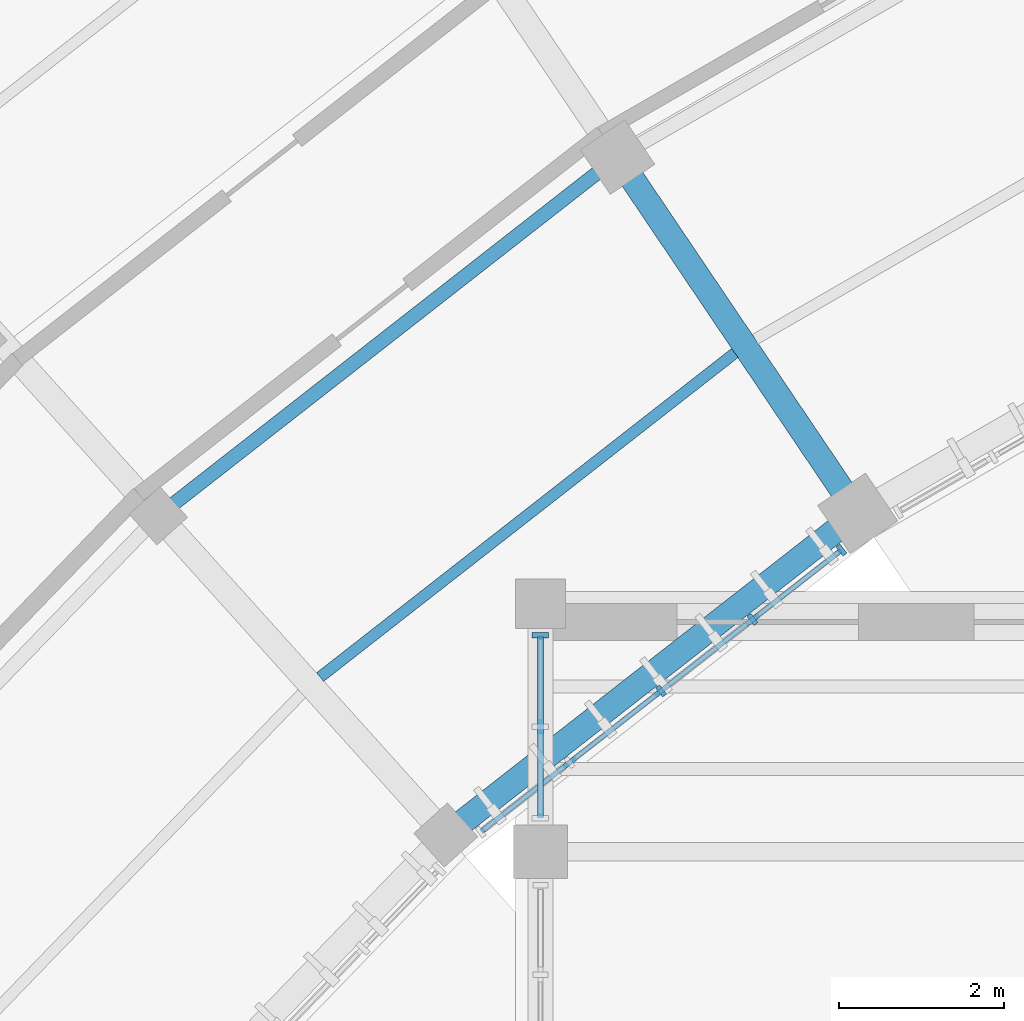
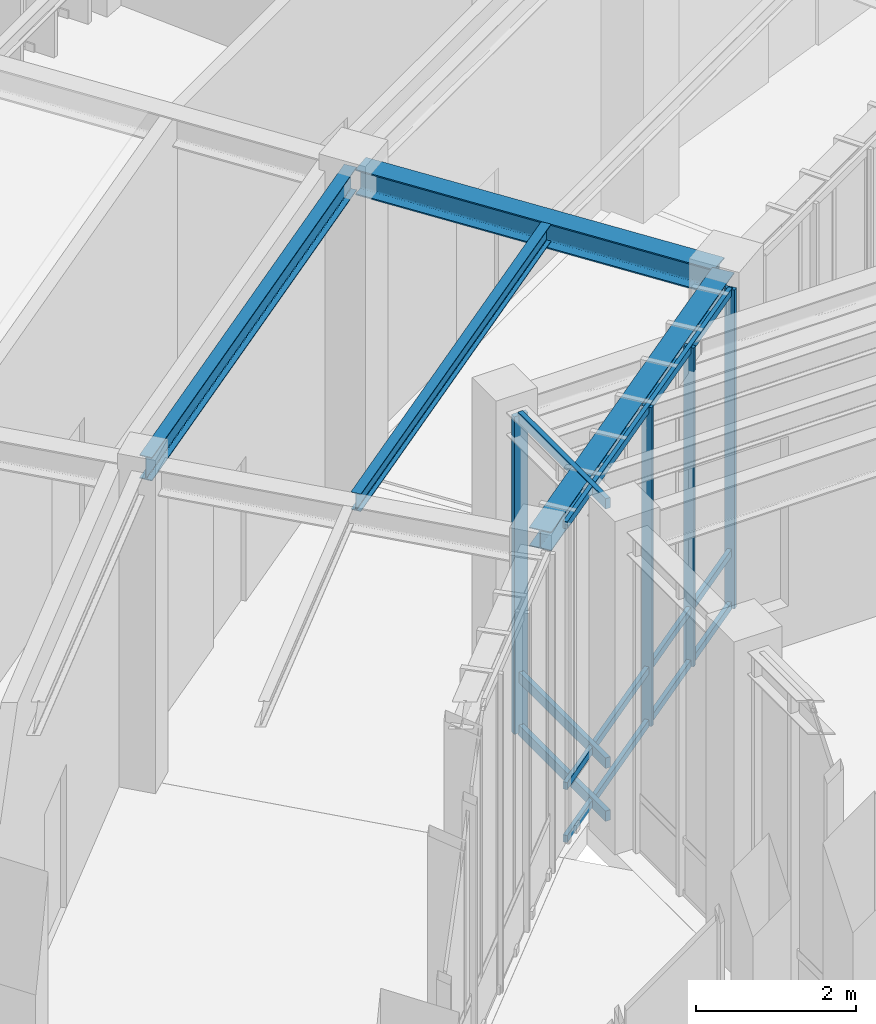
# One storey, part 10 of 68: 10 members, 4 beams, 2 elements without a shape of their own.
"""IFC4 building model written with IfcOpenShell, lengths in metres."""

from ifc_helpers import new_model, si_unit, direction, frame, origin, origin_2d, place, context, subcontext, project, spatial, rectangle, i_section, extrude, material, layer, layer_set, material_profile, profile_set, type_object, element, aggregate, save


model = new_model("IFC4")

# Units and contexts
model_context = context("Model", 3, precision=1e-05, world=origin(), true_north=direction((0.0, 1.0)))
body_context = subcontext(model_context, "Body", "Model", "MODEL_VIEW")
ifc_project = project(units=[si_unit("LENGTHUNIT", "METRE"), si_unit("AREAUNIT", "SQUARE_METRE"), si_unit("VOLUMEUNIT", "CUBIC_METRE"), si_unit("PLANEANGLEUNIT", "RADIAN"), si_unit("MASSUNIT", "GRAM", prefix="KILO"), si_unit("THERMODYNAMICTEMPERATUREUNIT", "KELVIN"), si_unit("POWERUNIT", "WATT")], contexts=[model_context])

# Site, building, storey
site_placement = place(None, origin())
site = spatial("IfcSite", under=ifc_project, at=site_placement, CompositionType="ELEMENT")
building_placement = place(site_placement, origin())
building = spatial("IfcBuilding", under=site, at=building_placement, Name="Solvatero Civic Police Headquarters", CompositionType="ELEMENT")
storey_placement = place(building_placement, origin())
storey = spatial("IfcBuildingStorey", under=building, at=storey_placement, Name="L00", CompositionType="ELEMENT", Elevation=0.0)

# Beams
ifc_material_1 = material(Name="Steel S355", Category="steel")
ifc_material_profile_1 = material_profile(ifc_material_1, i_section(OverallWidth=0.300048828125, OverallDepth=0.2900390625, WebThickness=0.008544921875, FlangeThickness=0.013916015625, FilletRadius=0.027099609375, at=origin_2d()), Name="HEA 300")
ifc_profile_set_1 = profile_set([ifc_material_profile_1], Name="Steel S355")
beam_type_1 = type_object("IfcBeamType", Name="BM-ST-HEA300", PredefinedType="SPANDREL", material=ifc_profile_set_1)
beam_1_placement = place(storey_placement, frame((68.561767578125, 63.535400390625, 4.735107421875), z_axis=(-0.788005042089, -0.615668785665, 0.0), x_axis=(0.615668785665, -0.788005042089, 0.0)))
element("IfcBeam", 1, at=beam_1_placement, inside=storey, type_object=beam_type_1, Name="Perimeter / radial spandrel beam BM-R2-L00-ARC-CIN-B06", PredefinedType="SPANDREL", context=body_context, shape_type="SweptSolid", body=[
    extrude(i_section(OverallWidth=0.300048828125, OverallDepth=0.2900390625, WebThickness=0.008544921875, FlangeThickness=0.013916015625, FilletRadius=0.027099609375, at=origin_2d()), origin(), (0.0, 0.0, 1.0), 6.126953125),
])
ifc_material_profile_2 = material_profile(ifc_material_1, i_section(OverallWidth=0.300048828125, OverallDepth=0.389892578125, WebThickness=0.010986328125, FlangeThickness=0.01904296875, FilletRadius=0.027099609375, at=origin_2d()), Name="HEA 400")
ifc_profile_set_2 = profile_set([ifc_material_profile_2], Name="Steel S355")
beam_type_2 = type_object("IfcBeamType", Name="BM-ST-HEA400", PredefinedType="BEAM", material=ifc_profile_set_2)
beam_2_placement = place(storey_placement, frame((68.584716796875, 63.6796875, 4.68505859375), z_axis=(-0.559176791171, 0.829048440211, 0.0), x_axis=(-0.829048440211, -0.559176791171, 0.0)))
element("IfcBeam", 2, at=beam_2_placement, inside=storey, type_object=beam_type_2, Name="Primary girder BM-R2-L00-ARC-RAD1-S05", PredefinedType="BEAM", context=body_context, shape_type="SweptSolid", body=[
    extrude(i_section(OverallWidth=0.300048828125, OverallDepth=0.389892578125, WebThickness=0.010986328125, FlangeThickness=0.01904296875, FilletRadius=0.027099609375, at=origin_2d()), origin(), (0.0, 0.0, 1.0), 5.0),
])
ifc_material_profile_3 = material_profile(ifc_material_1, i_section(OverallWidth=0.135009765625, OverallDepth=0.27001953125, WebThickness=0.006591796875, FlangeThickness=0.01025390625, FilletRadius=0.014892578125, at=origin_2d()), Name="IPE 270")
ifc_profile_set_3 = profile_set([ifc_material_profile_3], Name="Steel S355")
beam_type_3 = type_object("IfcBeamType", Name="BM-ST-IPE270", PredefinedType="BEAM", material=ifc_profile_set_3)
beam_3_placement = place(storey_placement, frame((67.15234375, 65.53564453125, 4.7451171875), z_axis=(-0.787994151897, -0.615682723955, 0.0), x_axis=(0.615682723955, -0.787994151897, 0.0)))
element("IfcBeam", 3, at=beam_3_placement, inside=storey, type_object=beam_type_3, Name="Composite floor beam BM-R2-L00-ARC-CS1-B06", PredefinedType="BEAM", context=body_context, shape_type="SweptSolid", body=[
    extrude(i_section(OverallWidth=0.135009765625, OverallDepth=0.27001953125, WebThickness=0.006591796875, FlangeThickness=0.01025390625, FilletRadius=0.014892578125, at=origin_2d()), origin(), (0.0, 0.0, 1.0), 6.36865234375),
])
ifc_material_profile_4 = material_profile(ifc_material_1, i_section(OverallWidth=0.169921875, OverallDepth=0.360107421875, WebThickness=0.008056640625, FlangeThickness=0.0126953125, FilletRadius=0.01806640625, at=origin_2d()), Name="IPE 360")
ifc_profile_set_4 = profile_set([ifc_material_profile_4], Name="Steel S355")
beam_type_4 = type_object("IfcBeamType", Name="BM-ST-IPE360", PredefinedType="BEAM", material=ifc_profile_set_4)
beam_4_placement = place(storey_placement, frame((65.654052734375, 67.84619140625, 4.699951171875), z_axis=(-0.788036257023, -0.615628831047, 0.0), x_axis=(0.615628831047, -0.788036257023, 0.0)))
element("IfcBeam", 4, at=beam_4_placement, inside=storey, type_object=beam_type_4, Name="Composite floor beam BM-R2-L00-ARC-CMID-B06", PredefinedType="BEAM", context=body_context, shape_type="SweptSolid", body=[
    extrude(i_section(OverallWidth=0.169921875, OverallDepth=0.360107421875, WebThickness=0.008056640625, FlangeThickness=0.0126953125, FilletRadius=0.01806640625, at=origin_2d()), origin(), (0.0, 0.0, 1.0), 6.852294921875),
])

# Curtain wall, members
ifc_material_2 = material(Name="Anodized Bronze Aluminium", Category="aluminium")
ifc_layer_1 = layer(ifc_material_2, 0.179931640625)
ifc_layer_set_1 = layer_set([ifc_layer_1], Name="Anodized Bronze Aluminium")
curtain_wall_type_1 = type_object("IfcCurtainWallType", Name="CW-ARC-IN", PredefinedType="USERDEFINED", material=ifc_layer_set_1)
curtain_wall_1_placement = place(storey_placement, origin())
curtain_wall_1 = element("IfcCurtainWall", 5, at=curtain_wall_1_placement, inside=storey, type_object=curtain_wall_type_1, Name="Curtain Wall CW-R2-L00-ARC-IN-B06", ObjectType="UNITISED", PredefinedType="USERDEFINED")
ifc_material_profile_5 = material_profile(ifc_material_2, rectangle(XDim=0.06005859375, YDim=0.139892578125, at=origin_2d()), Name="ALU MULLION 60x140")
ifc_profile_set_5 = profile_set([ifc_material_profile_5], Name="Anodized Bronze Aluminium")
member_type_1 = type_object("IfcMemberType", Name="CWM-160x65", PredefinedType="MULLION", material=ifc_profile_set_5)
member_1_placement = place(storey_placement, frame((68.443115234375, 63.1513671875, 0.0), z_axis=(0.0, 0.0, 1.0), x_axis=(-0.788010753607, -0.615661475326, 0.0)))
member_1 = element("IfcMember", 6, at=member_1_placement, type_object=member_type_1, Name="CW-R2-L00-ARC-IN-B06 Mullion 1", PredefinedType="MULLION", context=body_context, shape_type="SweptSolid", body=[
    extrude(rectangle(XDim=0.06005859375, YDim=0.139892578125, at=origin_2d()), origin(), (0.0, 0.0, 1.0), 4.8798828125),
])
member_2_placement = place(storey_placement, frame((67.366943359375, 62.310791015625, 0.0), z_axis=(0.0, 0.0, 1.0), x_axis=(-0.788010753607, -0.615661475326, 0.0)))
member_2 = element("IfcMember", 7, at=member_2_placement, type_object=member_type_1, Name="CW-R2-L00-ARC-IN-B06 Mullion 2", PredefinedType="MULLION", context=body_context, shape_type="SweptSolid", body=[
    extrude(rectangle(XDim=0.06005859375, YDim=0.139892578125, at=origin_2d()), origin(), (0.0, 0.0, 1.0), 4.8798828125),
])
member_3_placement = place(storey_placement, frame((66.259521484375, 61.4453125, 0.0), z_axis=(0.0, 0.0, 1.0), x_axis=(-0.788010753607, -0.615661475326, 0.0)))
member_3 = element("IfcMember", 8, at=member_3_placement, type_object=member_type_1, Name="CW-R2-L00-ARC-IN-B06 Mullion 3", PredefinedType="MULLION", context=body_context, shape_type="SweptSolid", body=[
    extrude(rectangle(XDim=0.06005859375, YDim=0.139892578125, at=origin_2d()), origin(), (0.0, 0.0, 1.0), 4.8798828125),
])

ifc_layer_2 = layer(ifc_material_2, 0.179931640625)
ifc_layer_set_2 = layer_set([ifc_layer_2], Name="Anodized Bronze Aluminium")
curtain_wall_type_2 = type_object("IfcCurtainWallType", Name="CW-HAL-GLZ", PredefinedType="USERDEFINED", material=ifc_layer_set_2)
curtain_wall_2_placement = place(storey_placement, origin())
curtain_wall_2 = element("IfcCurtainWall", 9, at=curtain_wall_2_placement, inside=storey, type_object=curtain_wall_type_2, Name="Curtain Wall CW-R2-L00-V2-W-B7", ObjectType="UNITISED", PredefinedType="USERDEFINED")
ifc_material_profile_6 = material_profile(ifc_material_2, rectangle(XDim=0.070068359375, YDim=0.199951171875, at=origin_2d()), Name="ALU MULLION 70x200")
ifc_profile_set_6 = profile_set([ifc_material_profile_6], Name="Anodized Bronze Aluminium")
member_type_2 = type_object("IfcMemberType", Name="CWM-220x80", PredefinedType="MULLION", material=ifc_profile_set_6)
member_4_placement = place(storey_placement, frame((64.800048828125, 62.1201171875, 0.0), z_axis=(0.0, 0.0, 1.0), x_axis=(0.0, 1.0, 0.0)))
member_4 = element("IfcMember", 10, at=member_4_placement, type_object=member_type_2, Name="CW-R2-L00-V2-W-B7 Mullion 3", PredefinedType="MULLION", context=body_context, shape_type="SweptSolid", body=[
    extrude(rectangle(XDim=0.070068359375, YDim=0.199951171875, at=origin_2d()), origin(), (0.0, 0.0, 1.0), 4.860107421875),
])
ifc_material_profile_7 = material_profile(ifc_material_2, rectangle(XDim=0.070068359375, YDim=0.159912109375, at=origin_2d()), Name="ALU TRANSOM 70x160")
ifc_profile_set_7 = profile_set([ifc_material_profile_7], Name="Anodized Bronze Aluminium")
member_type_3 = type_object("IfcMemberType", Name="CWT-120x55", PredefinedType="USERDEFINED", material=ifc_profile_set_7)
member_5_placement = place(storey_placement, frame((64.800048828125, 59.9150390625, 0.0400390625), z_axis=(0.0, 1.0, 0.0), x_axis=(-1.0, 0.0, 0.0)))
member_5 = element("IfcMember", 11, at=member_5_placement, type_object=member_type_3, Name="CW-R2-L00-V2-W-B7 Transom 1", ObjectType="TRANSOM", PredefinedType="USERDEFINED", context=body_context, shape_type="SweptSolid", body=[
    extrude(rectangle(XDim=0.070068359375, YDim=0.159912109375, at=origin_2d()), origin(), (0.0, 0.0, 1.0), 2.195068359375),
])
member_6_placement = place(storey_placement, frame((64.800048828125, 59.9150390625, 0.85009765625), z_axis=(0.0, 1.0, 0.0), x_axis=(-1.0, 0.0, 0.0)))
member_6 = element("IfcMember", 12, at=member_6_placement, type_object=member_type_3, Name="CW-R2-L00-V2-W-B7 Transom 2", ObjectType="TRANSOM", PredefinedType="USERDEFINED", context=body_context, shape_type="SweptSolid", body=[
    extrude(rectangle(XDim=0.070068359375, YDim=0.159912109375, at=origin_2d()), origin(), (0.0, 0.0, 1.0), 2.195068359375),
])
member_7_placement = place(storey_placement, frame((64.800048828125, 59.9150390625, 4.820068359375), z_axis=(0.0, 1.0, 0.0), x_axis=(-1.0, 0.0, 0.0)))
member_7 = element("IfcMember", 13, at=member_7_placement, type_object=member_type_3, Name="CW-R2-L00-V2-W-B7 Transom 3", ObjectType="TRANSOM", PredefinedType="USERDEFINED", context=body_context, shape_type="SweptSolid", body=[
    extrude(rectangle(XDim=0.070068359375, YDim=0.159912109375, at=origin_2d()), origin(), (0.0, 0.0, 1.0), 2.195068359375),
])
aggregate(curtain_wall_2, [member_4, member_5, member_6, member_7])

# Member
ifc_material_profile_8 = material_profile(ifc_material_2, rectangle(XDim=0.06005859375, YDim=0.110107421875, at=origin_2d()), Name="ALU TRANSOM 60x110")
ifc_profile_set_8 = profile_set([ifc_material_profile_8], Name="Anodized Bronze Aluminium")
member_type_4 = type_object("IfcMemberType", Name="CWT-140x60", PredefinedType="USERDEFINED", material=ifc_profile_set_8)
member_8_placement = place(storey_placement, frame((68.435302734375, 63.145263671875, 0.0400390625), z_axis=(-0.788024373725, -0.615644041972, 0.0), x_axis=(0.615644041972, -0.788024373725, 0.0)))
member_8 = element("IfcMember", 14, at=member_8_placement, type_object=member_type_4, Name="CW-R2-L00-ARC-IN-B06 Transom 1", ObjectType="TRANSOM", PredefinedType="USERDEFINED", context=body_context, shape_type="SweptSolid", body=[
    extrude(rectangle(XDim=0.06005859375, YDim=0.110107421875, at=origin_2d()), origin(), (0.0, 0.0, 1.0), 5.522216796875),
])

member_9_placement = place(storey_placement, frame((68.435302734375, 63.145263671875, 0.85009765625), z_axis=(-0.788024373725, -0.615644041972, 0.0), x_axis=(0.615644041972, -0.788024373725, 0.0)))
member_9 = element("IfcMember", 15, at=member_9_placement, type_object=member_type_4, Name="CW-R2-L00-ARC-IN-B06 Transom 2", ObjectType="TRANSOM", PredefinedType="USERDEFINED", context=body_context, shape_type="SweptSolid", body=[
    extrude(rectangle(XDim=0.06005859375, YDim=0.110107421875, at=origin_2d()), origin(), (0.0, 0.0, 1.0), 5.522216796875),
])

member_10_placement = place(storey_placement, frame((68.435302734375, 63.145263671875, 4.840087890625), z_axis=(-0.788024373725, -0.615644041972, 0.0), x_axis=(0.615644041972, -0.788024373725, 0.0)))
member_10 = element("IfcMember", 16, at=member_10_placement, type_object=member_type_4, Name="CW-R2-L00-ARC-IN-B06 Transom 3", ObjectType="TRANSOM", PredefinedType="USERDEFINED", context=body_context, shape_type="SweptSolid", body=[
    extrude(rectangle(XDim=0.06005859375, YDim=0.110107421875, at=origin_2d()), origin(), (0.0, 0.0, 1.0), 5.522216796875),
])

aggregate(curtain_wall_1, [member_1, member_2, member_3, member_8, member_9, member_10])

save(model, "model.ifc")
